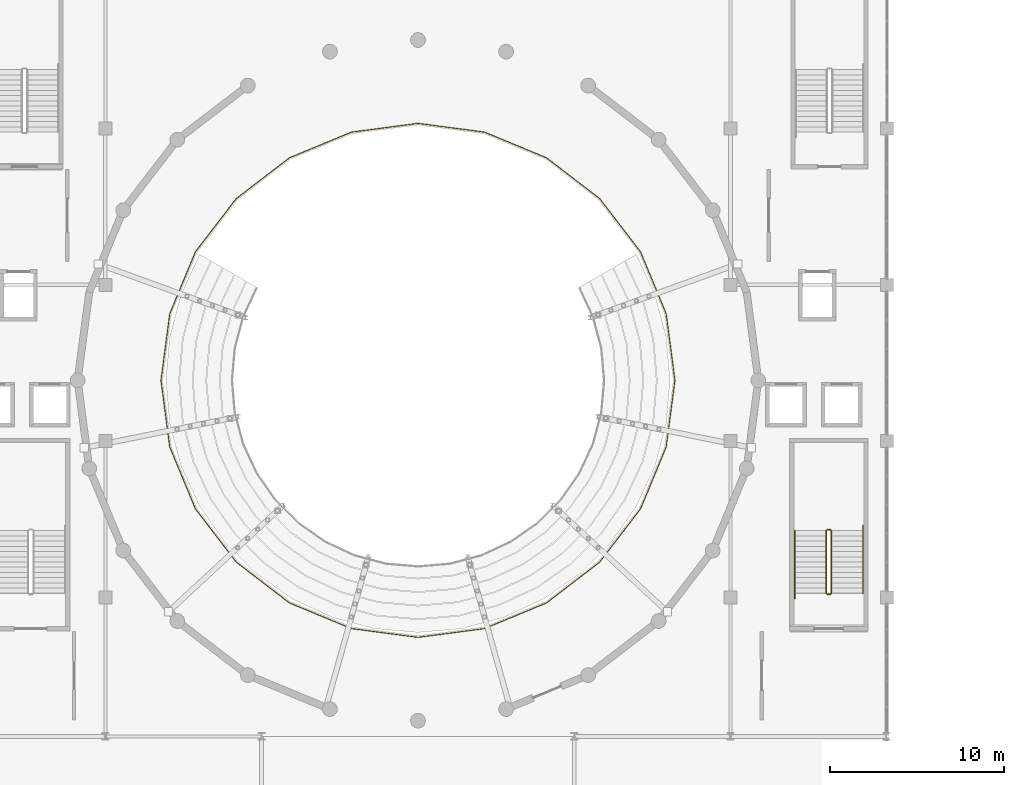
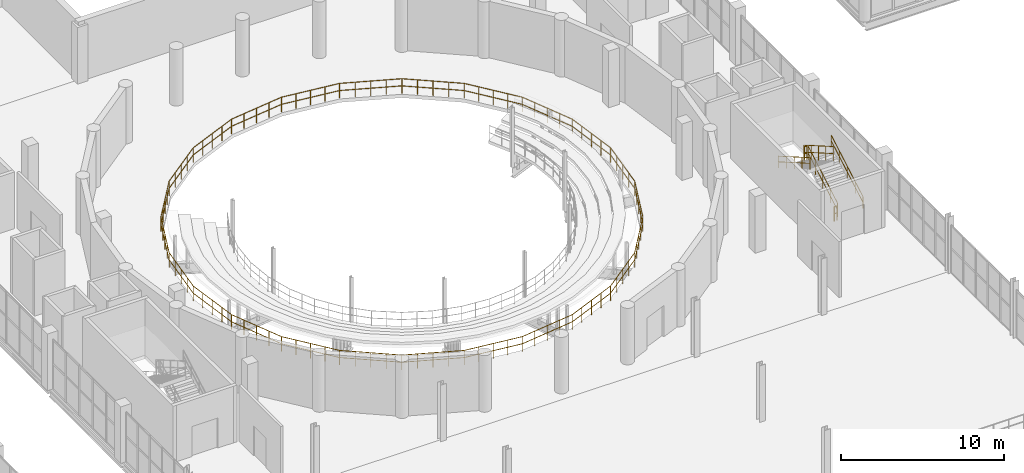
# One storey, part 79 of 85: 7 railings.
"""IFC4 building model written with IfcOpenShell, lengths in metres."""

from ifc_helpers import new_model, si_unit, direction, frame, origin, origin_2d, place, context, subcontext, project, spatial, circle, extrude, material, type_object, element, save


model = new_model("IFC4")

# Units and contexts
model_context = context("Model", 3, precision=1e-05, world=origin(), true_north=direction((0.0, 1.0)))
body_context = subcontext(model_context, "Body", "Model", "MODEL_VIEW")
ifc_project = project(units=[si_unit("LENGTHUNIT", "METRE"), si_unit("AREAUNIT", "SQUARE_METRE"), si_unit("VOLUMEUNIT", "CUBIC_METRE"), si_unit("PLANEANGLEUNIT", "RADIAN"), si_unit("MASSUNIT", "GRAM", prefix="KILO")], contexts=[model_context])

# Site, building, storey
site_placement = place(None, origin())
site = spatial("IfcSite", under=ifc_project, at=site_placement, CompositionType="ELEMENT")
building_placement = place(site_placement, origin())
building = spatial("IfcBuilding", under=site, at=building_placement, Name="Marnock Terrace Opera House", CompositionType="ELEMENT")
storey_placement = place(building_placement, frame((0.0, 0.0, 10.199951171875)))
storey = spatial("IfcBuildingStorey", under=building, at=storey_placement, Name="L02", CompositionType="ELEMENT", Elevation=10.199951171875)

# Railings
ifc_material = material(Name="Architectural bronze balustrade")
railing_type_1 = type_object("IfcRailingType", Name="RL-ATRIUM-1120", PredefinedType="BALUSTRADE", material=ifc_material)
railing_1_placement = place(storey_placement, frame((96.800048828125, 60.5, 0.0)))
element("IfcRailing", 1, at=railing_1_placement, inside=storey, type_object=railing_type_1, Name="L02 floor opening balustrade AUD-BOWL", PredefinedType="BALUSTRADE", context=body_context, shape_type="SweptSolid", body=[
    extrude(circle(Radius=0.02392578125, at=origin_2d()), frame((0.0, 0.0, 1.09619140625), z_axis=(-0.130470856437, 0.991452144897, 0.0), x_axis=(-0.991452144897, -0.130470856437, 0.0)), (0.0, 0.0, 1.0), 3.864013671875),
    extrude(circle(Radius=0.02392578125, at=origin_2d()), frame((0.0, 0.0, 0.56005859375), z_axis=(-0.130470856437, 0.991452144897, 0.0), x_axis=(-0.991452144897, -0.130470856437, 0.0)), (0.0, 0.0, 1.0), 3.864013671875),
    extrude(circle(Radius=0.02392578125, at=origin_2d()), frame((-0.504150390625, 3.8310546875, 1.09619140625), z_axis=(-0.382846662434, 0.923811903508, 0.0), x_axis=(-0.923811903508, -0.382846662434, 0.0)), (0.0, 0.0, 1.0), 3.86328125),
    extrude(circle(Radius=0.02392578125, at=origin_2d()), frame((-0.504150390625, 3.8310546875, 0.56005859375), z_axis=(-0.382846662434, 0.923811903508, 0.0), x_axis=(-0.923811903508, -0.382846662434, 0.0)), (0.0, 0.0, 1.0), 3.86328125),
    extrude(circle(Radius=0.02392578125, at=origin_2d()), frame((-1.983154296875, 7.39990234375, 1.09619140625), z_axis=(-0.608729993987, 0.793377460242, 0.0), x_axis=(-0.793377460242, -0.608729993987, 0.0)), (0.0, 0.0, 1.0), 3.863525390625),
    extrude(circle(Radius=0.02392578125, at=origin_2d()), frame((-1.983154296875, 7.39990234375, 0.56005859375), z_axis=(-0.608729993987, 0.793377460242, 0.0), x_axis=(-0.793377460242, -0.608729993987, 0.0)), (0.0, 0.0, 1.0), 3.863525390625),
    extrude(circle(Radius=0.02392578125, at=origin_2d()), frame((-4.3349609375, 10.465087890625, 1.09619140625), z_axis=(-0.793377460242, 0.608729993987, 0.0), x_axis=(-0.608729993987, -0.793377460242, 0.0)), (0.0, 0.0, 1.0), 3.863525390625),
    extrude(circle(Radius=0.02392578125, at=origin_2d()), frame((-4.3349609375, 10.465087890625, 0.56005859375), z_axis=(-0.793377460242, 0.608729993987, 0.0), x_axis=(-0.608729993987, -0.793377460242, 0.0)), (0.0, 0.0, 1.0), 3.863525390625),
    extrude(circle(Radius=0.02392578125, at=origin_2d()), frame((-7.400146484375, 12.81689453125, 1.09619140625), z_axis=(-0.923811903508, 0.382846662434, 0.0), x_axis=(-0.382846662434, -0.923811903508, 0.0)), (0.0, 0.0, 1.0), 3.86328125),
    extrude(circle(Radius=0.02392578125, at=origin_2d()), frame((-7.400146484375, 12.81689453125, 0.56005859375), z_axis=(-0.923811903508, 0.382846662434, 0.0), x_axis=(-0.382846662434, -0.923811903508, 0.0)), (0.0, 0.0, 1.0), 3.86328125),
    extrude(circle(Radius=0.02392578125, at=origin_2d()), frame((-10.968994140625, 14.2958984375, 1.09619140625), z_axis=(-0.991452144897, 0.130470856437, 0.0), x_axis=(-0.130470856437, -0.991452144897, 0.0)), (0.0, 0.0, 1.0), 3.864013671875),
    extrude(circle(Radius=0.02392578125, at=origin_2d()), frame((-10.968994140625, 14.2958984375, 0.56005859375), z_axis=(-0.991452144897, 0.130470856437, 0.0), x_axis=(-0.130470856437, -0.991452144897, 0.0)), (0.0, 0.0, 1.0), 3.864013671875),
    extrude(circle(Radius=0.02392578125, at=origin_2d()), frame((-14.800048828125, 14.800048828125, 1.09619140625), z_axis=(-0.991452144897, -0.130470856437, 0.0), x_axis=(0.130470856437, -0.991452144897, 0.0)), (0.0, 0.0, 1.0), 3.864013671875),
    extrude(circle(Radius=0.02392578125, at=origin_2d()), frame((-14.800048828125, 14.800048828125, 0.56005859375), z_axis=(-0.991452144897, -0.130470856437, 0.0), x_axis=(0.130470856437, -0.991452144897, 0.0)), (0.0, 0.0, 1.0), 3.864013671875),
    extrude(circle(Radius=0.02392578125, at=origin_2d()), frame((-18.631103515625, 14.2958984375, 1.09619140625), z_axis=(-0.923811903508, -0.382846662434, 0.0), x_axis=(0.382846662434, -0.923811903508, 0.0)), (0.0, 0.0, 1.0), 3.86328125),
    extrude(circle(Radius=0.02392578125, at=origin_2d()), frame((-18.631103515625, 14.2958984375, 0.56005859375), z_axis=(-0.923811903508, -0.382846662434, 0.0), x_axis=(0.382846662434, -0.923811903508, 0.0)), (0.0, 0.0, 1.0), 3.86328125),
    extrude(circle(Radius=0.02392578125, at=origin_2d()), frame((-22.199951171875, 12.81689453125, 1.09619140625), z_axis=(-0.793377460242, -0.608729993987, 0.0), x_axis=(0.608729993987, -0.793377460242, 0.0)), (0.0, 0.0, 1.0), 3.863525390625),
    extrude(circle(Radius=0.02392578125, at=origin_2d()), frame((-22.199951171875, 12.81689453125, 0.56005859375), z_axis=(-0.793377460242, -0.608729993987, 0.0), x_axis=(0.608729993987, -0.793377460242, 0.0)), (0.0, 0.0, 1.0), 3.863525390625),
    extrude(circle(Radius=0.02392578125, at=origin_2d()), frame((-25.26513671875, 10.465087890625, 1.09619140625), z_axis=(-0.608729993987, -0.793377460242, 0.0), x_axis=(0.793377460242, -0.608729993987, 0.0)), (0.0, 0.0, 1.0), 3.863525390625),
    extrude(circle(Radius=0.02392578125, at=origin_2d()), frame((-25.26513671875, 10.465087890625, 0.56005859375), z_axis=(-0.608729993987, -0.793377460242, 0.0), x_axis=(0.793377460242, -0.608729993987, 0.0)), (0.0, 0.0, 1.0), 3.863525390625),
    extrude(circle(Radius=0.02392578125, at=origin_2d()), frame((-27.616943359375, 7.39990234375, 1.09619140625), z_axis=(-0.382846662434, -0.923811903508, 0.0), x_axis=(0.923811903508, -0.382846662434, 0.0)), (0.0, 0.0, 1.0), 3.86328125),
    extrude(circle(Radius=0.02392578125, at=origin_2d()), frame((-27.616943359375, 7.39990234375, 0.56005859375), z_axis=(-0.382846662434, -0.923811903508, 0.0), x_axis=(0.923811903508, -0.382846662434, 0.0)), (0.0, 0.0, 1.0), 3.86328125),
    extrude(circle(Radius=0.02392578125, at=origin_2d()), frame((-29.095947265625, 3.8310546875, 1.09619140625), z_axis=(-0.130470856437, -0.991452144897, 0.0), x_axis=(0.991452144897, -0.130470856437, 0.0)), (0.0, 0.0, 1.0), 3.864013671875),
    extrude(circle(Radius=0.02392578125, at=origin_2d()), frame((-29.095947265625, 3.8310546875, 0.56005859375), z_axis=(-0.130470856437, -0.991452144897, 0.0), x_axis=(0.991452144897, -0.130470856437, 0.0)), (0.0, 0.0, 1.0), 3.864013671875),
    extrude(circle(Radius=0.02392578125, at=origin_2d()), frame((-29.60009765625, 0.0, 1.09619140625), z_axis=(0.130470856437, -0.991452144897, 0.0), x_axis=(0.991452144897, 0.130470856437, 0.0)), (0.0, 0.0, 1.0), 3.864013671875),
    extrude(circle(Radius=0.02392578125, at=origin_2d()), frame((-29.60009765625, 0.0, 0.56005859375), z_axis=(0.130470856437, -0.991452144897, 0.0), x_axis=(0.991452144897, 0.130470856437, 0.0)), (0.0, 0.0, 1.0), 3.864013671875),
    extrude(circle(Radius=0.02392578125, at=origin_2d()), frame((-29.095947265625, -3.8310546875, 1.09619140625), z_axis=(0.382846662434, -0.923811903508, 0.0), x_axis=(0.923811903508, 0.382846662434, 0.0)), (0.0, 0.0, 1.0), 3.86328125),
    extrude(circle(Radius=0.02392578125, at=origin_2d()), frame((-29.095947265625, -3.8310546875, 0.56005859375), z_axis=(0.382846662434, -0.923811903508, 0.0), x_axis=(0.923811903508, 0.382846662434, 0.0)), (0.0, 0.0, 1.0), 3.86328125),
    extrude(circle(Radius=0.02392578125, at=origin_2d()), frame((-27.616943359375, -7.39990234375, 1.09619140625), z_axis=(0.608729993987, -0.793377460242, 0.0), x_axis=(0.793377460242, 0.608729993987, 0.0)), (0.0, 0.0, 1.0), 3.863525390625),
    extrude(circle(Radius=0.02392578125, at=origin_2d()), frame((-27.616943359375, -7.39990234375, 0.56005859375), z_axis=(0.608729993987, -0.793377460242, 0.0), x_axis=(0.793377460242, 0.608729993987, 0.0)), (0.0, 0.0, 1.0), 3.863525390625),
    extrude(circle(Radius=0.02392578125, at=origin_2d()), frame((-25.26513671875, -10.465087890625, 1.09619140625), z_axis=(0.793377460242, -0.608729993987, 0.0), x_axis=(0.608729993987, 0.793377460242, 0.0)), (0.0, 0.0, 1.0), 3.863525390625),
    extrude(circle(Radius=0.02392578125, at=origin_2d()), frame((-25.26513671875, -10.465087890625, 0.56005859375), z_axis=(0.793377460242, -0.608729993987, 0.0), x_axis=(0.608729993987, 0.793377460242, 0.0)), (0.0, 0.0, 1.0), 3.863525390625),
    extrude(circle(Radius=0.02392578125, at=origin_2d()), frame((-22.199951171875, -12.81689453125, 1.09619140625), z_axis=(0.923811903508, -0.382846662434, 0.0), x_axis=(0.382846662434, 0.923811903508, 0.0)), (0.0, 0.0, 1.0), 3.86328125),
    extrude(circle(Radius=0.02392578125, at=origin_2d()), frame((-22.199951171875, -12.81689453125, 0.56005859375), z_axis=(0.923811903508, -0.382846662434, 0.0), x_axis=(0.382846662434, 0.923811903508, 0.0)), (0.0, 0.0, 1.0), 3.86328125),
    extrude(circle(Radius=0.02392578125, at=origin_2d()), frame((-18.631103515625, -14.2958984375, 1.09619140625), z_axis=(0.991452144897, -0.130470856437, 0.0), x_axis=(0.130470856437, 0.991452144897, 0.0)), (0.0, 0.0, 1.0), 3.864013671875),
    extrude(circle(Radius=0.02392578125, at=origin_2d()), frame((-18.631103515625, -14.2958984375, 0.56005859375), z_axis=(0.991452144897, -0.130470856437, 0.0), x_axis=(0.130470856437, 0.991452144897, 0.0)), (0.0, 0.0, 1.0), 3.864013671875),
    extrude(circle(Radius=0.02392578125, at=origin_2d()), frame((-14.800048828125, -14.800048828125, 1.09619140625), z_axis=(0.991452144897, 0.130470856437, 0.0), x_axis=(-0.130470856437, 0.991452144897, 0.0)), (0.0, 0.0, 1.0), 3.864013671875),
    extrude(circle(Radius=0.02392578125, at=origin_2d()), frame((-14.800048828125, -14.800048828125, 0.56005859375), z_axis=(0.991452144897, 0.130470856437, 0.0), x_axis=(-0.130470856437, 0.991452144897, 0.0)), (0.0, 0.0, 1.0), 3.864013671875),
    extrude(circle(Radius=0.02392578125, at=origin_2d()), frame((-10.968994140625, -14.2958984375, 1.09619140625), z_axis=(0.923811903508, 0.382846662434, 0.0), x_axis=(-0.382846662434, 0.923811903508, 0.0)), (0.0, 0.0, 1.0), 3.86328125),
    extrude(circle(Radius=0.02392578125, at=origin_2d()), frame((-10.968994140625, -14.2958984375, 0.56005859375), z_axis=(0.923811903508, 0.382846662434, 0.0), x_axis=(-0.382846662434, 0.923811903508, 0.0)), (0.0, 0.0, 1.0), 3.86328125),
    extrude(circle(Radius=0.02392578125, at=origin_2d()), frame((-7.400146484375, -12.81689453125, 1.09619140625), z_axis=(0.793377460242, 0.608729993987, 0.0), x_axis=(-0.608729993987, 0.793377460242, 0.0)), (0.0, 0.0, 1.0), 3.863525390625),
    extrude(circle(Radius=0.02392578125, at=origin_2d()), frame((-7.400146484375, -12.81689453125, 0.56005859375), z_axis=(0.793377460242, 0.608729993987, 0.0), x_axis=(-0.608729993987, 0.793377460242, 0.0)), (0.0, 0.0, 1.0), 3.863525390625),
    extrude(circle(Radius=0.02392578125, at=origin_2d()), frame((-4.3349609375, -10.465087890625, 1.09619140625), z_axis=(0.608729993987, 0.793377460242, 0.0), x_axis=(-0.793377460242, 0.608729993987, 0.0)), (0.0, 0.0, 1.0), 3.863525390625),
    extrude(circle(Radius=0.02392578125, at=origin_2d()), frame((-4.3349609375, -10.465087890625, 0.56005859375), z_axis=(0.608729993987, 0.793377460242, 0.0), x_axis=(-0.793377460242, 0.608729993987, 0.0)), (0.0, 0.0, 1.0), 3.863525390625),
    extrude(circle(Radius=0.02392578125, at=origin_2d()), frame((-1.983154296875, -7.39990234375, 1.09619140625), z_axis=(0.382846662434, 0.923811903508, 0.0), x_axis=(-0.923811903508, 0.382846662434, 0.0)), (0.0, 0.0, 1.0), 3.86328125),
    extrude(circle(Radius=0.02392578125, at=origin_2d()), frame((-1.983154296875, -7.39990234375, 0.56005859375), z_axis=(0.382846662434, 0.923811903508, 0.0), x_axis=(-0.923811903508, 0.382846662434, 0.0)), (0.0, 0.0, 1.0), 3.86328125),
    extrude(circle(Radius=0.02392578125, at=origin_2d()), frame((-0.504150390625, -3.8310546875, 1.09619140625), z_axis=(0.130470856437, 0.991452144897, 0.0), x_axis=(-0.991452144897, 0.130470856437, 0.0)), (0.0, 0.0, 1.0), 3.864013671875),
    extrude(circle(Radius=0.02392578125, at=origin_2d()), frame((-0.504150390625, -3.8310546875, 0.56005859375), z_axis=(0.130470856437, 0.991452144897, 0.0), x_axis=(-0.991452144897, 0.130470856437, 0.0)), (0.0, 0.0, 1.0), 3.864013671875),
    extrude(circle(Radius=0.02099609375, at=origin_2d()), origin(), (0.0, 0.0, 1.0), 1.072021484375),
    extrude(circle(Radius=0.02099609375, at=origin_2d()), frame((-0.1259765625, 0.957763671875, 0.0)), (0.0, 0.0, 1.0), 1.072021484375),
    extrude(circle(Radius=0.02099609375, at=origin_2d()), frame((-0.251953125, 1.91552734375, 0.0)), (0.0, 0.0, 1.0), 1.072021484375),
    extrude(circle(Radius=0.02099609375, at=origin_2d()), frame((-0.378173828125, 2.873291015625, 0.0)), (0.0, 0.0, 1.0), 1.072021484375),
    extrude(circle(Radius=0.02099609375, at=origin_2d()), frame((-0.504150390625, 3.8310546875, 0.0)), (0.0, 0.0, 1.0), 1.072021484375),
    extrude(circle(Radius=0.02099609375, at=origin_2d()), frame((-0.8740234375, 4.72314453125, 0.0)), (0.0, 0.0, 1.0), 1.072021484375),
    extrude(circle(Radius=0.02099609375, at=origin_2d()), frame((-1.24365234375, 5.615478515625, 0.0)), (0.0, 0.0, 1.0), 1.072021484375),
    extrude(circle(Radius=0.02099609375, at=origin_2d()), frame((-1.61328125, 6.5078125, 0.0)), (0.0, 0.0, 1.0), 1.072021484375),
    extrude(circle(Radius=0.02099609375, at=origin_2d()), frame((-1.983154296875, 7.39990234375, 0.0)), (0.0, 0.0, 1.0), 1.072021484375),
    extrude(circle(Radius=0.02099609375, at=origin_2d()), frame((-2.571044921875, 8.166259765625, 0.0)), (0.0, 0.0, 1.0), 1.072021484375),
    extrude(circle(Radius=0.02099609375, at=origin_2d()), frame((-3.1591796875, 8.9326171875, 0.0)), (0.0, 0.0, 1.0), 1.072021484375),
    extrude(circle(Radius=0.02099609375, at=origin_2d()), frame((-3.7470703125, 9.69873046875, 0.0)), (0.0, 0.0, 1.0), 1.072021484375),
    extrude(circle(Radius=0.02099609375, at=origin_2d()), frame((-4.3349609375, 10.465087890625, 0.0)), (0.0, 0.0, 1.0), 1.072021484375),
    extrude(circle(Radius=0.02099609375, at=origin_2d()), frame((-5.101318359375, 11.052978515625, 0.0)), (0.0, 0.0, 1.0), 1.072021484375),
    extrude(circle(Radius=0.02099609375, at=origin_2d()), frame((-5.86767578125, 11.64111328125, 0.0)), (0.0, 0.0, 1.0), 1.072021484375),
    extrude(circle(Radius=0.02099609375, at=origin_2d()), frame((-6.6337890625, 12.22900390625, 0.0)), (0.0, 0.0, 1.0), 1.072021484375),
    extrude(circle(Radius=0.02099609375, at=origin_2d()), frame((-7.400146484375, 12.81689453125, 0.0)), (0.0, 0.0, 1.0), 1.072021484375),
    extrude(circle(Radius=0.02099609375, at=origin_2d()), frame((-8.29248046875, 13.1865234375, 0.0)), (0.0, 0.0, 1.0), 1.072021484375),
    extrude(circle(Radius=0.02099609375, at=origin_2d()), frame((-9.1845703125, 13.556396484375, 0.0)), (0.0, 0.0, 1.0), 1.072021484375),
    extrude(circle(Radius=0.02099609375, at=origin_2d()), frame((-10.07666015625, 13.92626953125, 0.0)), (0.0, 0.0, 1.0), 1.072021484375),
    extrude(circle(Radius=0.02099609375, at=origin_2d()), frame((-10.968994140625, 14.2958984375, 0.0)), (0.0, 0.0, 1.0), 1.072021484375),
    extrude(circle(Radius=0.02099609375, at=origin_2d()), frame((-11.9267578125, 14.421875, 0.0)), (0.0, 0.0, 1.0), 1.072021484375),
    extrude(circle(Radius=0.02099609375, at=origin_2d()), frame((-12.884521484375, 14.5478515625, 0.0)), (0.0, 0.0, 1.0), 1.072021484375),
    extrude(circle(Radius=0.02099609375, at=origin_2d()), frame((-13.84228515625, 14.674072265625, 0.0)), (0.0, 0.0, 1.0), 1.072021484375),
    extrude(circle(Radius=0.02099609375, at=origin_2d()), frame((-14.800048828125, 14.800048828125, 0.0)), (0.0, 0.0, 1.0), 1.072021484375),
    extrude(circle(Radius=0.02099609375, at=origin_2d()), frame((-15.7578125, 14.674072265625, 0.0)), (0.0, 0.0, 1.0), 1.072021484375),
    extrude(circle(Radius=0.02099609375, at=origin_2d()), frame((-16.715576171875, 14.5478515625, 0.0)), (0.0, 0.0, 1.0), 1.072021484375),
    extrude(circle(Radius=0.02099609375, at=origin_2d()), frame((-17.67333984375, 14.421875, 0.0)), (0.0, 0.0, 1.0), 1.072021484375),
    extrude(circle(Radius=0.02099609375, at=origin_2d()), frame((-18.631103515625, 14.2958984375, 0.0)), (0.0, 0.0, 1.0), 1.072021484375),
    extrude(circle(Radius=0.02099609375, at=origin_2d()), frame((-19.5234375, 13.92626953125, 0.0)), (0.0, 0.0, 1.0), 1.072021484375),
    extrude(circle(Radius=0.02099609375, at=origin_2d()), frame((-20.41552734375, 13.556396484375, 0.0)), (0.0, 0.0, 1.0), 1.072021484375),
    extrude(circle(Radius=0.02099609375, at=origin_2d()), frame((-21.3076171875, 13.1865234375, 0.0)), (0.0, 0.0, 1.0), 1.072021484375),
    extrude(circle(Radius=0.02099609375, at=origin_2d()), frame((-22.199951171875, 12.81689453125, 0.0)), (0.0, 0.0, 1.0), 1.072021484375),
    extrude(circle(Radius=0.02099609375, at=origin_2d()), frame((-22.96630859375, 12.22900390625, 0.0)), (0.0, 0.0, 1.0), 1.072021484375),
    extrude(circle(Radius=0.02099609375, at=origin_2d()), frame((-23.732421875, 11.64111328125, 0.0)), (0.0, 0.0, 1.0), 1.072021484375),
    extrude(circle(Radius=0.02099609375, at=origin_2d()), frame((-24.498779296875, 11.052978515625, 0.0)), (0.0, 0.0, 1.0), 1.072021484375),
    extrude(circle(Radius=0.02099609375, at=origin_2d()), frame((-25.26513671875, 10.465087890625, 0.0)), (0.0, 0.0, 1.0), 1.072021484375),
    extrude(circle(Radius=0.02099609375, at=origin_2d()), frame((-25.85302734375, 9.69873046875, 0.0)), (0.0, 0.0, 1.0), 1.072021484375),
    extrude(circle(Radius=0.02099609375, at=origin_2d()), frame((-26.44091796875, 8.9326171875, 0.0)), (0.0, 0.0, 1.0), 1.072021484375),
    extrude(circle(Radius=0.02099609375, at=origin_2d()), frame((-27.029052734375, 8.166259765625, 0.0)), (0.0, 0.0, 1.0), 1.072021484375),
    extrude(circle(Radius=0.02099609375, at=origin_2d()), frame((-27.616943359375, 7.39990234375, 0.0)), (0.0, 0.0, 1.0), 1.072021484375),
    extrude(circle(Radius=0.02099609375, at=origin_2d()), frame((-27.98681640625, 6.5078125, 0.0)), (0.0, 0.0, 1.0), 1.072021484375),
    extrude(circle(Radius=0.02099609375, at=origin_2d()), frame((-28.3564453125, 5.615478515625, 0.0)), (0.0, 0.0, 1.0), 1.072021484375),
    extrude(circle(Radius=0.02099609375, at=origin_2d()), frame((-28.72607421875, 4.72314453125, 0.0)), (0.0, 0.0, 1.0), 1.072021484375),
    extrude(circle(Radius=0.02099609375, at=origin_2d()), frame((-29.095947265625, 3.8310546875, 0.0)), (0.0, 0.0, 1.0), 1.072021484375),
    extrude(circle(Radius=0.02099609375, at=origin_2d()), frame((-29.221923828125, 2.873291015625, 0.0)), (0.0, 0.0, 1.0), 1.072021484375),
    extrude(circle(Radius=0.02099609375, at=origin_2d()), frame((-29.34814453125, 1.91552734375, 0.0)), (0.0, 0.0, 1.0), 1.072021484375),
    extrude(circle(Radius=0.02099609375, at=origin_2d()), frame((-29.47412109375, 0.957763671875, 0.0)), (0.0, 0.0, 1.0), 1.072021484375),
    extrude(circle(Radius=0.02099609375, at=origin_2d()), frame((-29.60009765625, 0.0, 0.0)), (0.0, 0.0, 1.0), 1.072021484375),
    extrude(circle(Radius=0.02099609375, at=origin_2d()), frame((-29.47412109375, -0.957763671875, 0.0)), (0.0, 0.0, 1.0), 1.072021484375),
    extrude(circle(Radius=0.02099609375, at=origin_2d()), frame((-29.34814453125, -1.91552734375, 0.0)), (0.0, 0.0, 1.0), 1.072021484375),
    extrude(circle(Radius=0.02099609375, at=origin_2d()), frame((-29.221923828125, -2.873291015625, 0.0)), (0.0, 0.0, 1.0), 1.072021484375),
    extrude(circle(Radius=0.02099609375, at=origin_2d()), frame((-29.095947265625, -3.8310546875, 0.0)), (0.0, 0.0, 1.0), 1.072021484375),
    extrude(circle(Radius=0.02099609375, at=origin_2d()), frame((-28.72607421875, -4.72314453125, 0.0)), (0.0, 0.0, 1.0), 1.072021484375),
    extrude(circle(Radius=0.02099609375, at=origin_2d()), frame((-28.3564453125, -5.615478515625, 0.0)), (0.0, 0.0, 1.0), 1.072021484375),
    extrude(circle(Radius=0.02099609375, at=origin_2d()), frame((-27.98681640625, -6.5078125, 0.0)), (0.0, 0.0, 1.0), 1.072021484375),
    extrude(circle(Radius=0.02099609375, at=origin_2d()), frame((-27.616943359375, -7.39990234375, 0.0)), (0.0, 0.0, 1.0), 1.072021484375),
    extrude(circle(Radius=0.02099609375, at=origin_2d()), frame((-27.029052734375, -8.166259765625, 0.0)), (0.0, 0.0, 1.0), 1.072021484375),
    extrude(circle(Radius=0.02099609375, at=origin_2d()), frame((-26.44091796875, -8.9326171875, 0.0)), (0.0, 0.0, 1.0), 1.072021484375),
    extrude(circle(Radius=0.02099609375, at=origin_2d()), frame((-25.85302734375, -9.69873046875, 0.0)), (0.0, 0.0, 1.0), 1.072021484375),
    extrude(circle(Radius=0.02099609375, at=origin_2d()), frame((-25.26513671875, -10.465087890625, 0.0)), (0.0, 0.0, 1.0), 1.072021484375),
    extrude(circle(Radius=0.02099609375, at=origin_2d()), frame((-24.498779296875, -11.052978515625, 0.0)), (0.0, 0.0, 1.0), 1.072021484375),
    extrude(circle(Radius=0.02099609375, at=origin_2d()), frame((-23.732421875, -11.64111328125, 0.0)), (0.0, 0.0, 1.0), 1.072021484375),
    extrude(circle(Radius=0.02099609375, at=origin_2d()), frame((-22.96630859375, -12.22900390625, 0.0)), (0.0, 0.0, 1.0), 1.072021484375),
    extrude(circle(Radius=0.02099609375, at=origin_2d()), frame((-22.199951171875, -12.81689453125, 0.0)), (0.0, 0.0, 1.0), 1.072021484375),
    extrude(circle(Radius=0.02099609375, at=origin_2d()), frame((-21.3076171875, -13.1865234375, 0.0)), (0.0, 0.0, 1.0), 1.072021484375),
    extrude(circle(Radius=0.02099609375, at=origin_2d()), frame((-20.41552734375, -13.556396484375, 0.0)), (0.0, 0.0, 1.0), 1.072021484375),
    extrude(circle(Radius=0.02099609375, at=origin_2d()), frame((-19.5234375, -13.92626953125, 0.0)), (0.0, 0.0, 1.0), 1.072021484375),
    extrude(circle(Radius=0.02099609375, at=origin_2d()), frame((-18.631103515625, -14.2958984375, 0.0)), (0.0, 0.0, 1.0), 1.072021484375),
    extrude(circle(Radius=0.02099609375, at=origin_2d()), frame((-17.67333984375, -14.421875, 0.0)), (0.0, 0.0, 1.0), 1.072021484375),
    extrude(circle(Radius=0.02099609375, at=origin_2d()), frame((-16.715576171875, -14.5478515625, 0.0)), (0.0, 0.0, 1.0), 1.072021484375),
    extrude(circle(Radius=0.02099609375, at=origin_2d()), frame((-15.7578125, -14.674072265625, 0.0)), (0.0, 0.0, 1.0), 1.072021484375),
    extrude(circle(Radius=0.02099609375, at=origin_2d()), frame((-14.800048828125, -14.800048828125, 0.0)), (0.0, 0.0, 1.0), 1.072021484375),
    extrude(circle(Radius=0.02099609375, at=origin_2d()), frame((-13.84228515625, -14.674072265625, 0.0)), (0.0, 0.0, 1.0), 1.072021484375),
    extrude(circle(Radius=0.02099609375, at=origin_2d()), frame((-12.884521484375, -14.5478515625, 0.0)), (0.0, 0.0, 1.0), 1.072021484375),
    extrude(circle(Radius=0.02099609375, at=origin_2d()), frame((-11.9267578125, -14.421875, 0.0)), (0.0, 0.0, 1.0), 1.072021484375),
    extrude(circle(Radius=0.02099609375, at=origin_2d()), frame((-10.968994140625, -14.2958984375, 0.0)), (0.0, 0.0, 1.0), 1.072021484375),
    extrude(circle(Radius=0.02099609375, at=origin_2d()), frame((-10.07666015625, -13.92626953125, 0.0)), (0.0, 0.0, 1.0), 1.072021484375),
    extrude(circle(Radius=0.02099609375, at=origin_2d()), frame((-9.1845703125, -13.556396484375, 0.0)), (0.0, 0.0, 1.0), 1.072021484375),
    extrude(circle(Radius=0.02099609375, at=origin_2d()), frame((-8.29248046875, -13.1865234375, 0.0)), (0.0, 0.0, 1.0), 1.072021484375),
    extrude(circle(Radius=0.02099609375, at=origin_2d()), frame((-7.400146484375, -12.81689453125, 0.0)), (0.0, 0.0, 1.0), 1.072021484375),
    extrude(circle(Radius=0.02099609375, at=origin_2d()), frame((-6.6337890625, -12.22900390625, 0.0)), (0.0, 0.0, 1.0), 1.072021484375),
    extrude(circle(Radius=0.02099609375, at=origin_2d()), frame((-5.86767578125, -11.64111328125, 0.0)), (0.0, 0.0, 1.0), 1.072021484375),
    extrude(circle(Radius=0.02099609375, at=origin_2d()), frame((-5.101318359375, -11.052978515625, 0.0)), (0.0, 0.0, 1.0), 1.072021484375),
    extrude(circle(Radius=0.02099609375, at=origin_2d()), frame((-4.3349609375, -10.465087890625, 0.0)), (0.0, 0.0, 1.0), 1.072021484375),
    extrude(circle(Radius=0.02099609375, at=origin_2d()), frame((-3.7470703125, -9.69873046875, 0.0)), (0.0, 0.0, 1.0), 1.072021484375),
    extrude(circle(Radius=0.02099609375, at=origin_2d()), frame((-3.1591796875, -8.9326171875, 0.0)), (0.0, 0.0, 1.0), 1.072021484375),
    extrude(circle(Radius=0.02099609375, at=origin_2d()), frame((-2.571044921875, -8.166259765625, 0.0)), (0.0, 0.0, 1.0), 1.072021484375),
    extrude(circle(Radius=0.02099609375, at=origin_2d()), frame((-1.983154296875, -7.39990234375, 0.0)), (0.0, 0.0, 1.0), 1.072021484375),
    extrude(circle(Radius=0.02099609375, at=origin_2d()), frame((-1.61328125, -6.5078125, 0.0)), (0.0, 0.0, 1.0), 1.072021484375),
    extrude(circle(Radius=0.02099609375, at=origin_2d()), frame((-1.24365234375, -5.615478515625, 0.0)), (0.0, 0.0, 1.0), 1.072021484375),
    extrude(circle(Radius=0.02099609375, at=origin_2d()), frame((-0.8740234375, -4.72314453125, 0.0)), (0.0, 0.0, 1.0), 1.072021484375),
    extrude(circle(Radius=0.02099609375, at=origin_2d()), frame((-0.504150390625, -3.8310546875, 0.0)), (0.0, 0.0, 1.0), 1.072021484375),
    extrude(circle(Radius=0.02099609375, at=origin_2d()), frame((-0.378173828125, -2.873291015625, 0.0)), (0.0, 0.0, 1.0), 1.072021484375),
    extrude(circle(Radius=0.02099609375, at=origin_2d()), frame((-0.251953125, -1.91552734375, 0.0)), (0.0, 0.0, 1.0), 1.072021484375),
    extrude(circle(Radius=0.02099609375, at=origin_2d()), frame((-0.1259765625, -0.957763671875, 0.0)), (0.0, 0.0, 1.0), 1.072021484375),
])
railing_type_2 = type_object("IfcRailingType", Name="RL-GUARD-1100", PredefinedType="GUARDRAIL", material=ifc_material)
railing_2_placement = place(storey_placement, frame((105.81005859375, 48.239990234375, 0.173095703125)))
element("IfcRailing", 2, at=railing_2_placement, inside=storey, type_object=railing_type_2, Name="L02 ST-02 stair guard 1", PredefinedType="GUARDRAIL", context=body_context, shape_type="SweptSolid", body=[
    extrude(circle(Radius=0.02392578125, at=origin_2d()), frame((0.0, 0.0, 1.076171875), z_axis=(0.0, 0.866193409371, 0.499708892819), x_axis=(-1.0, 0.0, 0.0)), (0.0, 0.0, 1.0), 4.15625),
    extrude(circle(Radius=0.02392578125, at=origin_2d()), frame((0.0, 0.0, 0.550048828125), z_axis=(0.0, 0.866193409371, 0.499708892819), x_axis=(-1.0, 0.0, 0.0)), (0.0, 0.0, 1.0), 4.15625),
    extrude(circle(Radius=0.02099609375, at=origin_2d()), origin(), (0.0, 0.0, 1.0), 1.052001953125),
    extrude(circle(Radius=0.02099609375, at=origin_2d()), frame((0.0, 0.89990234375, 0.519287109375)), (0.0, 0.0, 1.0), 1.052001953125),
    extrude(circle(Radius=0.02099609375, at=origin_2d()), frame((0.0, 1.800048828125, 1.03857421875)), (0.0, 0.0, 1.0), 1.052001953125),
    extrude(circle(Radius=0.02099609375, at=origin_2d()), frame((0.0, 2.7001953125, 1.5576171875)), (0.0, 0.0, 1.0), 1.052001953125),
    extrude(circle(Radius=0.02099609375, at=origin_2d()), frame((0.0, 3.60009765625, 2.076904296875)), (0.0, 0.0, 1.0), 1.052001953125),
])
railing_3_placement = place(storey_placement, frame((105.760009765625, 51.889892578125, 2.25)))
element("IfcRailing", 3, at=railing_3_placement, inside=storey, type_object=railing_type_2, Name="L02 ST-02 stair guard 2", PredefinedType="GUARDRAIL", context=body_context, shape_type="SweptSolid", body=[
    extrude(circle(Radius=0.02392578125, at=origin_2d()), frame((0.0, 0.0, 1.076171875), z_axis=(-1.0, 0.0, 0.0), x_axis=(0.0, -1.0, 0.0)), (0.0, 0.0, 1.0), 0.199951171875),
    extrude(circle(Radius=0.02392578125, at=origin_2d()), frame((0.0, 0.0, 0.550048828125), z_axis=(-1.0, 0.0, 0.0), x_axis=(0.0, -1.0, 0.0)), (0.0, 0.0, 1.0), 0.199951171875),
    extrude(circle(Radius=0.02099609375, at=origin_2d()), origin(), (0.0, 0.0, 1.0), 1.052001953125),
    extrude(circle(Radius=0.02099609375, at=origin_2d()), frame((-0.199951171875, 0.0, 0.0)), (0.0, 0.0, 1.0), 1.052001953125),
])
railing_4_placement = place(storey_placement, frame((105.510009765625, 51.840087890625, 2.423095703125)))
element("IfcRailing", 4, at=railing_4_placement, inside=storey, type_object=railing_type_2, Name="L02 ST-02 stair guard 3", PredefinedType="GUARDRAIL", context=body_context, shape_type="SweptSolid", body=[
    extrude(circle(Radius=0.02392578125, at=origin_2d()), frame((0.0, 0.0, 1.076171875), z_axis=(0.0, -0.866193409371, 0.499708892819), x_axis=(1.0, 0.0, 0.0)), (0.0, 0.0, 1.0), 4.15625),
    extrude(circle(Radius=0.02392578125, at=origin_2d()), frame((0.0, 0.0, 0.550048828125), z_axis=(0.0, -0.866193409371, 0.499708892819), x_axis=(1.0, 0.0, 0.0)), (0.0, 0.0, 1.0), 4.15625),
    extrude(circle(Radius=0.02099609375, at=origin_2d()), origin(), (0.0, 0.0, 1.0), 1.052001953125),
    extrude(circle(Radius=0.02099609375, at=origin_2d()), frame((0.0, -0.89990234375, 0.519287109375)), (0.0, 0.0, 1.0), 1.052001953125),
    extrude(circle(Radius=0.02099609375, at=origin_2d()), frame((0.0, -1.800048828125, 1.03857421875)), (0.0, 0.0, 1.0), 1.052001953125),
    extrude(circle(Radius=0.02099609375, at=origin_2d()), frame((0.0, -2.7001953125, 1.5576171875)), (0.0, 0.0, 1.0), 1.052001953125),
    extrude(circle(Radius=0.02099609375, at=origin_2d()), frame((0.0, -3.60009765625, 2.076904296875)), (0.0, 0.0, 1.0), 1.052001953125),
])
railing_5_placement = place(storey_placement, frame((105.760009765625, 48.18994140625, 0.0)))
element("IfcRailing", 5, at=railing_5_placement, inside=storey, type_object=railing_type_2, Name="L02 ST-02 stair guard 4", PredefinedType="GUARDRAIL", context=body_context, shape_type="SweptSolid", body=[
    extrude(circle(Radius=0.02392578125, at=origin_2d()), frame((0.0, 0.0, 1.076171875), z_axis=(-1.0, 0.0, 0.0), x_axis=(0.0, -1.0, 0.0)), (0.0, 0.0, 1.0), 0.199951171875),
    extrude(circle(Radius=0.02392578125, at=origin_2d()), frame((0.0, 0.0, 0.550048828125), z_axis=(-1.0, 0.0, 0.0), x_axis=(0.0, -1.0, 0.0)), (0.0, 0.0, 1.0), 0.199951171875),
    extrude(circle(Radius=0.02099609375, at=origin_2d()), origin(), (0.0, 0.0, 1.0), 1.052001953125),
    extrude(circle(Radius=0.02099609375, at=origin_2d()), frame((-0.199951171875, 0.0, 0.0)), (0.0, 0.0, 1.0), 1.052001953125),
])
railing_type_3 = type_object("IfcRailingType", Name="RL-HAND-900", PredefinedType="HANDRAIL", material=ifc_material)
railing_6_placement = place(storey_placement, frame((107.6298828125, 48.239990234375, 0.18505859375)))
element("IfcRailing", 6, at=railing_6_placement, inside=storey, type_object=railing_type_3, Name="L02 ST-02 stair handrail 1", PredefinedType="HANDRAIL", context=body_context, shape_type="SweptSolid", body=[
    extrude(circle(Radius=0.02392578125, at=origin_2d()), frame((0.0, 0.0, 0.8759765625), z_axis=(0.0, 0.866180169578, 0.49973184192), x_axis=(-1.0, 0.0, 0.0)), (0.0, 0.0, 1.0), 4.50244140625),
    extrude(circle(Radius=0.02392578125, at=origin_2d()), frame((0.0, 0.0, 0.449951171875), z_axis=(0.0, 0.866180169578, 0.49973184192), x_axis=(-1.0, 0.0, 0.0)), (0.0, 0.0, 1.0), 4.50244140625),
    extrude(circle(Radius=0.02099609375, at=origin_2d()), origin(), (0.0, 0.0, 1.0), 0.851806640625),
    extrude(circle(Radius=0.02099609375, at=origin_2d()), frame((0.0, 0.97509765625, 0.5625)), (0.0, 0.0, 1.0), 0.851806640625),
    extrude(circle(Radius=0.02099609375, at=origin_2d()), frame((0.0, 1.949951171875, 1.125)), (0.0, 0.0, 1.0), 0.851806640625),
    extrude(circle(Radius=0.02099609375, at=origin_2d()), frame((0.0, 2.9248046875, 1.6875)), (0.0, 0.0, 1.0), 0.851806640625),
    extrude(circle(Radius=0.02099609375, at=origin_2d()), frame((0.0, 3.89990234375, 2.25)), (0.0, 0.0, 1.0), 0.851806640625),
])
railing_7_placement = place(storey_placement, frame((103.68994140625, 51.840087890625, 2.43505859375)))
element("IfcRailing", 7, at=railing_7_placement, inside=storey, type_object=railing_type_3, Name="L02 ST-02 stair handrail 2", PredefinedType="HANDRAIL", context=body_context, shape_type="SweptSolid", body=[
    extrude(circle(Radius=0.02392578125, at=origin_2d()), frame((0.0, 0.0, 0.8759765625), z_axis=(0.0, -0.866193710181, 0.499708371395), x_axis=(1.0, 0.0, 0.0)), (0.0, 0.0, 1.0), 4.502685546875),
    extrude(circle(Radius=0.02392578125, at=origin_2d()), frame((0.0, 0.0, 0.449951171875), z_axis=(0.0, -0.866193710181, 0.499708371395), x_axis=(1.0, 0.0, 0.0)), (0.0, 0.0, 1.0), 4.502685546875),
    extrude(circle(Radius=0.02099609375, at=origin_2d()), origin(), (0.0, 0.0, 1.0), 0.851806640625),
    extrude(circle(Radius=0.02099609375, at=origin_2d()), frame((0.0, -0.97509765625, 0.5625)), (0.0, 0.0, 1.0), 0.851806640625),
    extrude(circle(Radius=0.02099609375, at=origin_2d()), frame((0.0, -1.9501953125, 1.125)), (0.0, 0.0, 1.0), 0.851806640625),
    extrude(circle(Radius=0.02099609375, at=origin_2d()), frame((0.0, -2.925048828125, 1.6875)), (0.0, 0.0, 1.0), 0.851806640625),
    extrude(circle(Radius=0.02099609375, at=origin_2d()), frame((0.0, -3.900146484375, 2.25)), (0.0, 0.0, 1.0), 0.851806640625),
])

save(model, "model.ifc")
